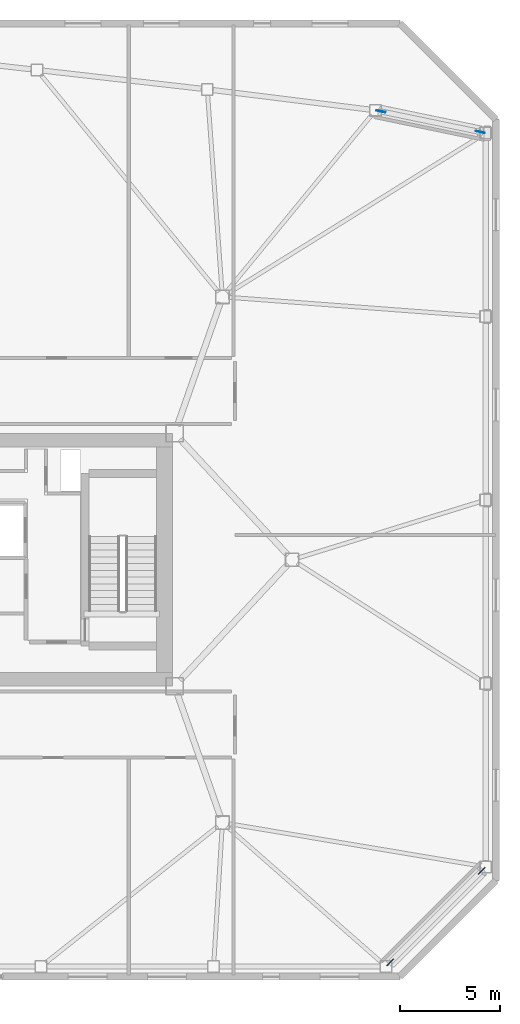
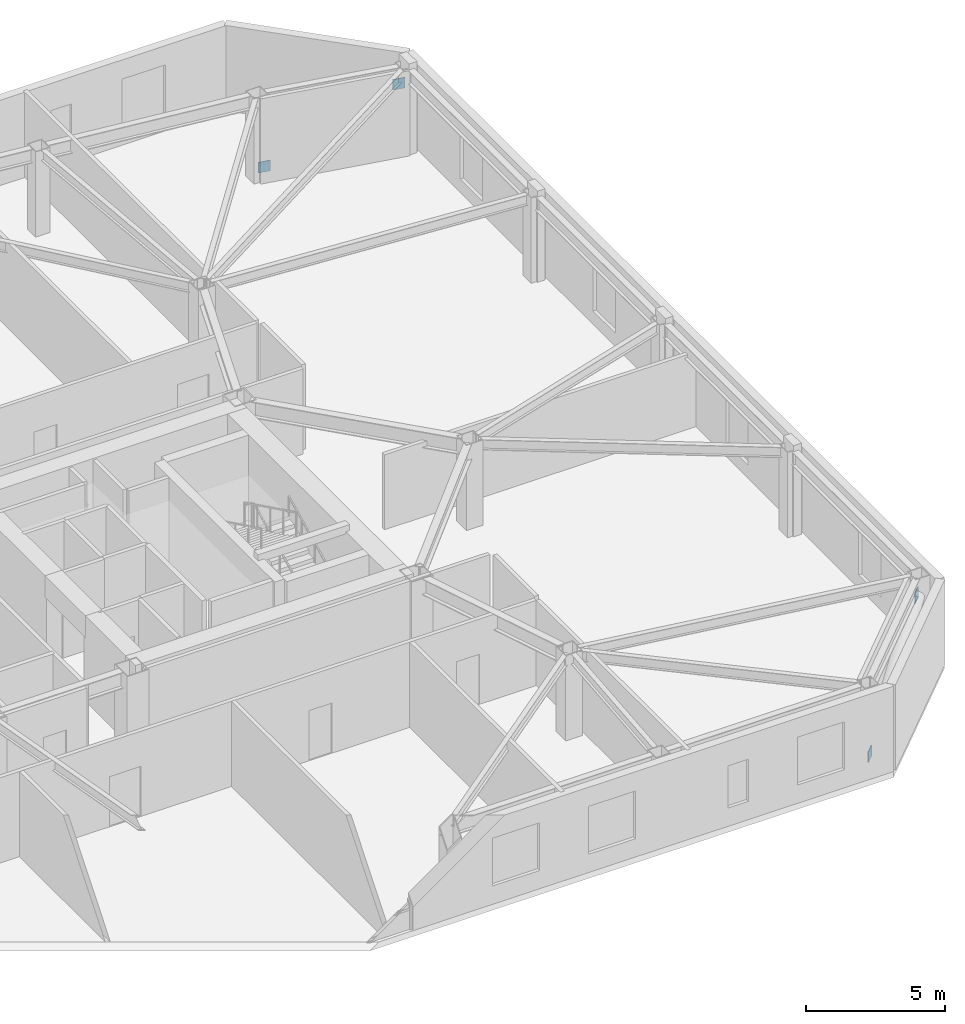
# One storey, part 17 of 18: 4 discrete accessories.
"""IFC4 building model written with IfcOpenShell, lengths in metres."""

from ifc_helpers import new_model, si_unit, direction, frame, origin, origin_2d, place, context, subcontext, project, spatial, rectangle, extrude, material, type_object, element, save


model = new_model("IFC4")

# Units and contexts
model_context = context("Model", 3, precision=1e-05, world=origin(), true_north=direction((0.0, 1.0)))
body_context = subcontext(model_context, "Body", "Model", "MODEL_VIEW")
ifc_project = project(units=[si_unit("LENGTHUNIT", "METRE"), si_unit("AREAUNIT", "SQUARE_METRE"), si_unit("VOLUMEUNIT", "CUBIC_METRE"), si_unit("PLANEANGLEUNIT", "RADIAN"), si_unit("MASSUNIT", "GRAM", prefix="KILO")], contexts=[model_context])

# Site, building, storey
site_placement = place(None, origin())
site = spatial("IfcSite", under=ifc_project, at=site_placement, CompositionType="ELEMENT")
building_placement = place(site_placement, origin())
building = spatial("IfcBuilding", under=site, at=building_placement, Name="Tavrogorsk Clinical Tower", CompositionType="ELEMENT")
storey_placement = place(building_placement, frame((0.0, 0.0, 192.199951171875)))
storey = spatial("IfcBuildingStorey", under=building, at=storey_placement, Name="L44", CompositionType="ELEMENT", Elevation=192.199951171875)

# Discrete accessories
ifc_material = material(Name="Structural steel S440", Category="steel")
discrete_accessory_type = type_object("IfcDiscreteAccessoryType", Name="GussetPlateBracket_25", PredefinedType="BRACKET", material=ifc_material)
for number, where, z_axis, x_axis, name in (
    (1, (32.922607421875, -20.217529296875, 0.18310546875), (0.0, 0.0, 1.0), (0.707106781187, 0.707106781187, 0.0), "L44 Brace Gusset Plate EXOCRN-L44-1-A"),
    (2, (37.517333984375, -15.62255859375, 2.7470703125), (0.0, 0.0, 1.0), (0.707106781187, 0.707106781187, 0.0), "L44 Brace Gusset Plate EXOCRN-L44-1-B"),
    (3, (32.461669921875, 22.509765625, 0.20654296875), (0.0, 0.0, 1.0), (0.979187402648, -0.202958198889, 0.0), "L44 Brace Gusset Plate EXOCRN-L44-2-A"),
    (4, (37.44970703125, 21.47607421875, 2.7236328125), (0.0, 0.0, 1.0), (0.979187402648, -0.202958198889, 0.0), "L44 Brace Gusset Plate EXOCRN-L44-2-B"),
):
    element("IfcDiscreteAccessory", number, at=place(storey_placement, frame(where, z_axis=z_axis, x_axis=x_axis)), inside=storey, type_object=discrete_accessory_type, Name=name, PredefinedType="BRACKET", context=body_context, shape_type="SweptSolid", body=[
        extrude(rectangle(XDim=0.4599609375, YDim=0.0400390625, at=origin_2d()), origin(), (0.0, 0.0, 1.0), 0.4599609375),
    ])

save(model, "model.ifc")
